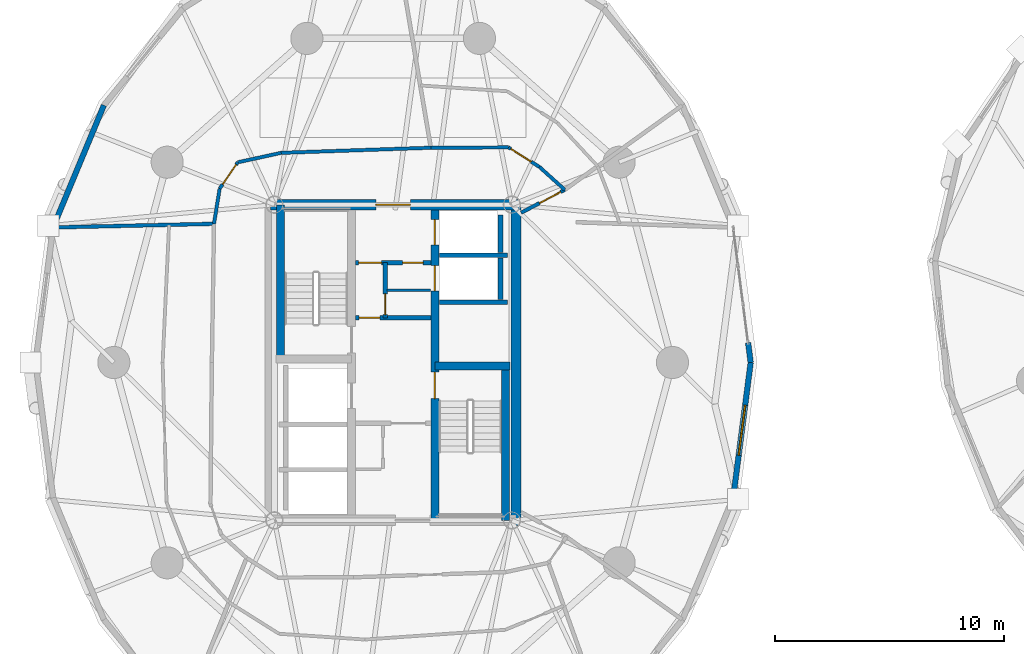
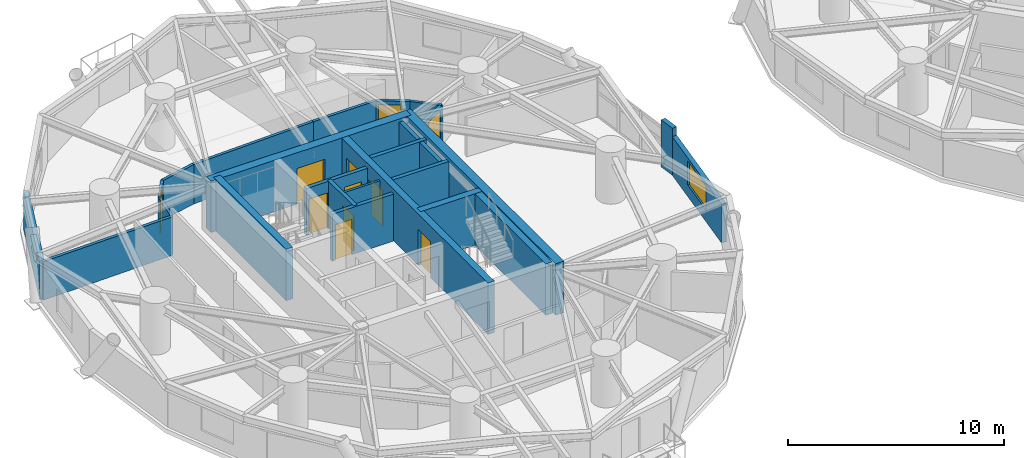
# One storey, part 11 of 18: 26 walls, 11 doors, 1 window, 12 openings.
"""IFC4 building model written with IfcOpenShell, lengths in metres."""

from ifc_helpers import new_model, si_unit, direction, frame, frame_2d, origin, place, context, subcontext, project, spatial, rectangle, extrude, source, transform, mapped, material, layer, layer_set, type_object, element, fill, save


model = new_model("IFC4")

# Units and contexts
model_context = context("Model", 3, precision=1e-05, world=origin(), true_north=direction((0.0, 1.0)))
body_context = subcontext(model_context, "Body", "Model", "MODEL_VIEW")
ifc_project = project(units=[si_unit("LENGTHUNIT", "METRE"), si_unit("AREAUNIT", "SQUARE_METRE"), si_unit("VOLUMEUNIT", "CUBIC_METRE"), si_unit("PLANEANGLEUNIT", "RADIAN"), si_unit("MASSUNIT", "GRAM", prefix="KILO")], contexts=[model_context])

# Site, building, storey
site_placement = place(None, origin())
site = spatial("IfcSite", under=ifc_project, at=site_placement, CompositionType="ELEMENT")
building_placement = place(site_placement, origin())
building = spatial("IfcBuilding", under=site, at=building_placement, Name="Cununo Teusaquillo Station Towers", CompositionType="ELEMENT")
storey_placement = place(building_placement, frame((0.0, 0.0, 110.889892578125)))
storey = spatial("IfcBuildingStorey", under=building, at=storey_placement, Name="L35", CompositionType="ELEMENT", Elevation=110.889892578125)

# Walls
ifc_material_1 = material(Name="Concrete C50/60", Category="concrete")
ifc_layer_1 = layer(ifc_material_1, 0.199951171875)
ifc_layer_set_1 = layer_set([ifc_layer_1], Name="Concrete C50/60")
wall_type_1 = type_object("IfcWallType", Name="WL-CORE-200", PredefinedType="SHEAR", material=ifc_layer_set_1)
for number, where, z_axis, x_axis, name in (
    (1, (18.510009765625, 27.1298828125, 0.0), (0.0, 0.0, 1.0), (1.0, 0.0, 0.0), "L35 Tower A Low-Rise Lift Hoistway South Shear Wall"),
    (2, (18.510009765625, 29.175048828125, 0.0), (0.0, 0.0, 1.0), (1.0, 0.0, 0.0), "L35 Tower A Low-Rise Lift Hoistway Divider Shear Wall"),
):
    element("IfcWall", number, at=place(storey_placement, frame(where, z_axis=z_axis, x_axis=x_axis)), inside=storey, type_object=wall_type_1, Name=name, PredefinedType="SHEAR", context=body_context, shape_type="SweptSolid", body=[
        extrude(rectangle(XDim=2.969970703125, YDim=0.199951171875, at=frame_2d((1.48486328125, 0.0))), origin(), (0.0, 0.0, 1.0), 2.91015625),
    ])
wall_1_placement = place(storey_placement, frame((21.179931640625, 27.25, 0.0), z_axis=(0.0, 0.0, 1.0), x_axis=(0.0, 1.0, 0.0)))
element("IfcWall", 3, at=wall_1_placement, inside=storey, type_object=wall_type_1, Name="L35 Tower A Low-Rise Lift 1 Shaft Rear Shear Wall", PredefinedType="SHEAR", context=body_context, shape_type="SweptSolid", body=[
    extrude(rectangle(XDim=1.804931640625, YDim=0.199951171875, at=frame_2d((0.90234375, 0.0))), origin(), (0.0, 0.0, 1.0), 2.91015625),
])
wall_2_placement = place(storey_placement, frame((21.179931640625, 29.294921875, 0.0), z_axis=(0.0, 0.0, 1.0), x_axis=(0.0, 1.0, 0.0)))
element("IfcWall", 4, at=wall_2_placement, inside=storey, type_object=wall_type_1, Name="L35 Tower A Low-Rise Lift 2 Shaft Rear Shear Wall", PredefinedType="SHEAR", context=body_context, shape_type="SweptSolid", body=[
    extrude(rectangle(XDim=1.635009765625, YDim=0.199951171875, at=frame_2d((0.8173828125, 0.0))), origin(), (0.0, 0.0, 1.0), 2.91015625),
])

# Wall, openings, doors
ifc_material_2 = material(Name="Concrete C50/60", Category="concrete")
ifc_layer_2 = layer(ifc_material_2, 0.35009765625)
ifc_layer_set_2 = layer_set([ifc_layer_2], Name="Concrete C50/60")
wall_type_2 = type_object("IfcWallType", Name="WL-CORE-350", PredefinedType="SHEAR", material=ifc_layer_set_2)
wall_3_placement = place(storey_placement, frame((18.31494140625, 17.625, 0.0), z_axis=(0.0, 0.0, 1.0), x_axis=(0.0, 1.0, 0.0)))
wall_3 = element("IfcWall", 5, at=wall_3_placement, inside=storey, type_object=wall_type_2, Name="L35 Tower A Core Shear Wall IE", PredefinedType="SHEAR", context=body_context, shape_type="SweptSolid", body=[
    extrude(rectangle(XDim=13.75, YDim=0.35009765625, at=frame_2d((6.875, 0.0))), origin(), (0.0, 0.0, 1.0), 2.91015625),
])
shared_shape_1 = source(origin(), body_context, "Body", "SweptSolid", [
    extrude(rectangle(XDim=1.10009765625, YDim=2.014892578125, at=frame_2d((0.550048828125, 1.00732421875))), frame((0.0, 0.18505859375, 0.0), z_axis=(0.0, -1.0, 0.0), x_axis=(1.0, 0.0, 0.0)), (0.0, 0.0, 1.0), 0.3701171875),
])
opening_1_placement = place(wall_3_placement, frame((10.0, 0.0, 0.0)))
opening_1 = element("IfcOpeningElement", 6, at=opening_1_placement, cuts=wall_3, Name="Opening LD-01", PredefinedType="OPENING", context=body_context, shape_type="MappedRepresentation", body=[
    mapped(shared_shape_1, transform((0.0, 0.0, 0.0), x_axis=(1.0, 0.0, 0.0), y_axis=(0.0, 1.0, 0.0), z_axis=(0.0, 0.0, 1.0), scale=1.0)),
])
opening_2_placement = place(wall_3_placement, frame((12.0, 0.0, 0.0)))
opening_2 = element("IfcOpeningElement", 7, at=opening_2_placement, cuts=wall_3, Name="Opening LD-01", PredefinedType="OPENING", context=body_context, shape_type="MappedRepresentation", body=[
    mapped(shared_shape_1, transform((0.0, 0.0, 0.0), x_axis=(1.0, 0.0, 0.0), y_axis=(0.0, 1.0, 0.0), z_axis=(0.0, 0.0, 1.0), scale=1.0)),
])
shared_shape_2 = source(origin(), body_context, "Body", "SweptSolid", [
    extrude(rectangle(XDim=1.14990234375, YDim=2.02001953125, at=frame_2d((0.574951171875, 1.010009765625))), frame((0.0, 0.18505859375, 0.0), z_axis=(0.0, -1.0, 0.0), x_axis=(1.0, 0.0, 0.0)), (0.0, 0.0, 1.0), 0.3701171875),
])
opening_3_placement = place(wall_3_placement, frame((5.304931640625, 0.0, 0.0)))
opening_3 = element("IfcOpeningElement", 8, at=opening_3_placement, cuts=wall_3, Name="Opening D-ST1", PredefinedType="OPENING", context=body_context, shape_type="MappedRepresentation", body=[
    mapped(shared_shape_2, transform((0.0, 0.0, 0.0), x_axis=(1.0, 0.0, 0.0), y_axis=(0.0, 1.0, 0.0), z_axis=(0.0, 0.0, 1.0), scale=1.0)),
])
ifc_material_3 = material(Name="Galvanised fire-rated hollow steel door assembly", Category="steel")
door_type_1 = type_object("IfcDoorType", Name="DR-LIFT-1100", OperationType="SLIDING_TO_LEFT", PredefinedType="DOOR", material=ifc_material_3)
shared_shape_3 = source(origin(), body_context, "Body", "SweptSolid", [
    extrude(rectangle(XDim=1.10009765625, YDim=2.014892578125, at=frame_2d((0.550048828125, 1.00732421875))), frame((0.0, 0.02490234375, 0.0), z_axis=(0.0, -1.0, 0.0), x_axis=(1.0, 0.0, 0.0)), (0.0, 0.0, 1.0), 0.050048828125),
])
door_1_placement = place(opening_1_placement, origin())
door_1 = element("IfcDoor", 9, at=door_1_placement, inside=storey, type_object=door_type_1, Name="L35 Lift PL-T1-L1 Sliding Landing Door", OperationType="SLIDING_TO_RIGHT", OverallHeight=2.014892578125, OverallWidth=1.10009765625, PredefinedType="DOOR", context=body_context, shape_type="MappedRepresentation", body=[
    mapped(shared_shape_3, transform((0.0, 0.0, 0.0), x_axis=(1.0, 0.0, 0.0), y_axis=(0.0, 1.0, 0.0), z_axis=(0.0, 0.0, 1.0), scale=1.0)),
])
fill(opening_1, door_1)
door_2_placement = place(opening_2_placement, origin())
door_2 = element("IfcDoor", 10, at=door_2_placement, inside=storey, type_object=door_type_1, Name="L35 Lift PL-T1-L2 Sliding Landing Door", OperationType="SLIDING_TO_LEFT", OverallHeight=2.014892578125, OverallWidth=1.10009765625, PredefinedType="DOOR", context=body_context, shape_type="MappedRepresentation", body=[
    mapped(shared_shape_3, transform((0.0, 0.0, 0.0), x_axis=(1.0, 0.0, 0.0), y_axis=(0.0, 1.0, 0.0), z_axis=(0.0, 0.0, 1.0), scale=1.0)),
])
fill(opening_2, door_2)
ifc_material_4 = material(Name="Galvanised fire-rated hollow steel door assembly", Category="steel")
door_type_2 = type_object("IfcDoorType", Name="DR-STAIR-1150", OperationType="NOTDEFINED", PredefinedType="DOOR", material=ifc_material_4)
shared_shape_4 = source(origin(), body_context, "Body", "SweptSolid", [
    extrude(rectangle(XDim=1.14990234375, YDim=2.02001953125, at=frame_2d((0.574951171875, 1.010009765625))), frame((0.0, 0.02490234375, 0.0), z_axis=(0.0, -1.0, 0.0), x_axis=(1.0, 0.0, 0.0)), (0.0, 0.0, 1.0), 0.050048828125),
])
door_3_placement = place(opening_3_placement, origin())
door_3 = element("IfcDoor", 11, at=door_3_placement, inside=storey, type_object=door_type_2, Name="L35 Tower A Exit Stair 2 Fire Door", OperationType="SINGLE_SWING_LEFT", OverallHeight=2.02001953125, OverallWidth=1.14990234375, PredefinedType="DOOR", context=body_context, shape_type="MappedRepresentation", body=[
    mapped(shared_shape_4, transform((0.0, 0.0, 0.0), x_axis=(1.0, 0.0, 0.0), y_axis=(0.0, 1.0, 0.0), z_axis=(0.0, 0.0, 1.0), scale=1.0)),
])
fill(opening_3, door_3)

# Walls
for number, where, z_axis, x_axis, name in (
    (12, (11.594970703125, 24.655029296875, 0.0), (0.0, 0.0, 1.0), (0.0, 1.0, 0.0), "L35 Tower A Core Shear Wall ST1W"),
    (13, (21.405029296875, 17.625, 0.0), (0.0, 0.0, 1.0), (0.0, 1.0, 0.0), "L35 Tower A Core Shear Wall ST2E"),
):
    element("IfcWall", number, at=place(storey_placement, frame(where, z_axis=z_axis, x_axis=x_axis)), inside=storey, type_object=wall_type_2, Name=name, PredefinedType="SHEAR", context=body_context, shape_type="SweptSolid", body=[
        extrude(rectangle(XDim=6.719970703125, YDim=0.35009765625, at=frame_2d((3.35986328125, 0.0))), origin(), (0.0, 0.0, 1.0), 2.91015625),
    ])
wall_4_placement = place(storey_placement, frame((18.31494140625, 24.344970703125, 0.0), z_axis=(0.0, 0.0, 1.0), x_axis=(1.0, 0.0, 0.0)))
element("IfcWall", 14, at=wall_4_placement, inside=storey, type_object=wall_type_2, Name="L35 Tower A Core Shear Wall ST2N", PredefinedType="SHEAR", context=body_context, shape_type="SweptSolid", body=[
    extrude(rectangle(XDim=3.28515625, YDim=0.35009765625, at=frame_2d((1.642578125, 0.0))), origin(), (0.0, 0.0, 1.0), 2.91015625),
])
ifc_material_5 = material(Name="Concrete C60/75", Category="concrete")
ifc_layer_3 = layer(ifc_material_5, 0.449951171875)
ifc_layer_set_3 = layer_set([ifc_layer_3], Name="Concrete C60/75")
wall_type_3 = type_object("IfcWallType", Name="WL-CORE-450", PredefinedType="SHEAR", material=ifc_layer_set_3)
wall_5_placement = place(storey_placement, frame((21.85009765625, 17.39990234375, 0.0), z_axis=(0.0, 0.0, 1.0), x_axis=(0.0, 1.0, 0.0)))
element("IfcWall", 15, at=wall_5_placement, inside=storey, type_object=wall_type_3, Name="L35 Tower A Core Shear Wall E", PredefinedType="SHEAR", context=body_context, shape_type="SweptSolid", body=[
    extrude(rectangle(XDim=14.2001953125, YDim=0.449951171875, at=frame_2d((7.10009765625, 0.0))), origin(), (0.0, 0.0, 1.0), 2.91015625),
])

# Wall, opening, door
wall_6_placement = place(storey_placement, frame((11.14990234375, 31.375, 0.0), z_axis=(0.0, 0.0, 1.0), x_axis=(1.0, 0.0, 0.0)))
wall_6 = element("IfcWall", 16, at=wall_6_placement, inside=storey, type_object=wall_type_3, Name="L35 Tower A Core Shear Wall N", PredefinedType="SHEAR", context=body_context, shape_type="SweptSolid", body=[
    extrude(rectangle(XDim=10.7001953125, YDim=0.449951171875, at=frame_2d((5.35009765625, 0.0))), origin(), (0.0, 0.0, 1.0), 2.91015625),
])
shared_shape_5 = source(origin(), body_context, "Body", "SweptSolid", [
    extrude(rectangle(XDim=1.5, YDim=2.02001953125, at=frame_2d((0.75, 1.010009765625))), frame((0.0, 0.23486328125, 0.0), z_axis=(0.0, -1.0, 0.0), x_axis=(1.0, 0.0, 0.0)), (0.0, 0.0, 1.0), 0.469970703125),
])
opening_4_placement = place(wall_6_placement, frame((4.60009765625, 0.0, 0.0)))
opening_4 = element("IfcOpeningElement", 17, at=opening_4_placement, cuts=wall_6, Name="Opening D-LB1", PredefinedType="OPENING", context=body_context, shape_type="MappedRepresentation", body=[
    mapped(shared_shape_5, transform((0.0, 0.0, 0.0), x_axis=(1.0, 0.0, 0.0), y_axis=(0.0, 1.0, 0.0), z_axis=(0.0, 0.0, 1.0), scale=1.0)),
])
ifc_material_6 = material(Name="Galvanised fire-rated hollow steel door assembly", Category="steel")
door_type_3 = type_object("IfcDoorType", Name="DR-LOBBY-1500", OperationType="DOUBLE_DOOR_SINGLE_SWING", PredefinedType="DOOR", material=ifc_material_6)
shared_shape_6 = source(origin(), body_context, "Body", "SweptSolid", [
    extrude(rectangle(XDim=1.5, YDim=2.02001953125, at=frame_2d((0.75, 1.010009765625))), frame((0.0, 0.02490234375, 0.0), z_axis=(0.0, -1.0, 0.0), x_axis=(1.0, 0.0, 0.0)), (0.0, 0.0, 1.0), 0.050048828125),
])
door_4_placement = place(opening_4_placement, origin())
door_4 = element("IfcDoor", 18, at=door_4_placement, inside=storey, type_object=door_type_3, Name="L35 Tower A North Core Lift Lobby Door", OperationType="DOUBLE_DOOR_SINGLE_SWING", OverallHeight=2.02001953125, OverallWidth=1.5, PredefinedType="DOOR", context=body_context, shape_type="MappedRepresentation", body=[
    mapped(shared_shape_6, transform((0.0, 0.0, 0.0), x_axis=(1.0, 0.0, 0.0), y_axis=(0.0, 1.0, 0.0), z_axis=(0.0, 0.0, 1.0), scale=1.0)),
])
fill(opening_4, door_4)

# Walls
ifc_material_7 = material(Name="Precast concrete C40/50", Category="concrete")
ifc_layer_4 = layer(ifc_material_7, 0.239990234375)
ifc_layer_set_4 = layer_set([ifc_layer_4], Name="Precast concrete C40/50")
wall_type_4 = type_object("IfcWallType", Name="WL-EXT-240", PredefinedType="SOLIDWALL", material=ifc_layer_set_4)
wall_7_placement = place(storey_placement, frame((31.96923828125, 25.36279296875, 0.0), z_axis=(0.0, 0.0, 1.0), x_axis=(0.128523364007, -0.991706481225, 0.0)))
element("IfcWall", 19, at=wall_7_placement, inside=storey, type_object=wall_type_4, Name="L35 Tower A Column Pier Cladding Wall C00-PB", PredefinedType="SOLIDWALL", context=body_context, shape_type="SweptSolid", body=[
    extrude(rectangle(XDim=0.8701171875, YDim=0.239990234375, at=frame_2d((0.43505859375, 0.0))), origin(), (0.0, 0.0, 1.0), 2.655029296875),
])
wall_8_placement = place(storey_placement, frame((1.681640625, 30.39306640625, 0.0), z_axis=(0.0, 0.0, 1.0), x_axis=(0.384344417632, 0.923189779317, 0.0)))
element("IfcWall", 20, at=wall_8_placement, inside=storey, type_object=wall_type_4, Name="L35 Tower A Exterior Facade Wall C08", PredefinedType="SOLIDWALL", context=body_context, shape_type="SweptSolid", body=[
    extrude(rectangle(XDim=5.75830078125, YDim=0.239990234375, at=frame_2d((2.879150390625, 0.0))), origin(), (0.0, 0.0, 1.0), 2.17919921875),
])

# Wall, opening, window
wall_9_placement = place(storey_placement, frame((32.0810546875, 24.5, 0.0), z_axis=(0.0, 0.0, 1.0), x_axis=(-0.128351991996, -0.991728675672, 0.0)))
wall_9 = element("IfcWall", 21, at=wall_9_placement, inside=storey, type_object=wall_type_4, Name="L35 Tower A Exterior Facade Wall C19", PredefinedType="SOLIDWALL", context=body_context, shape_type="SweptSolid", body=[
    extrude(rectangle(XDim=5.942138671875, YDim=0.239990234375, at=frame_2d((2.97119140625, 0.0))), origin(), (0.0, 0.0, 1.0), 2.17919921875),
])
shared_shape_7 = source(origin(), body_context, "Body", "SweptSolid", [
    extrude(rectangle(XDim=2.199951171875, YDim=1.35009765625, at=frame_2d((1.10009765625, 0.675048828125))), frame((0.0, 0.1298828125, 0.0), z_axis=(0.0, -1.0, 0.0), x_axis=(1.0, 0.0, 0.0)), (0.0, 0.0, 1.0), 0.260009765625),
])
opening_5_placement = place(wall_9_placement, frame((1.87109375, 0.0, 0.64990234375)))
opening_5 = element("IfcOpeningElement", 22, at=opening_5_placement, cuts=wall_9, Name="Opening WN-01", PredefinedType="OPENING", context=body_context, shape_type="MappedRepresentation", body=[
    mapped(shared_shape_7, transform((0.0, 0.0, 0.0), x_axis=(1.0, 0.0, 0.0), y_axis=(0.0, 1.0, 0.0), z_axis=(0.0, 0.0, 1.0), scale=1.0)),
])
ifc_material_8 = material(Name="Ceramic-fritted dark low-E double glazing", Category="glass")
window_type = type_object("IfcWindowType", Name="WIN-FRIT-2200", PartitioningType="DOUBLE_PANEL_VERTICAL", PredefinedType="WINDOW", material=ifc_material_8)
shared_shape_8 = source(origin(), body_context, "Body", "SweptSolid", [
    extrude(rectangle(XDim=2.199951171875, YDim=1.35009765625, at=frame_2d((1.10009765625, 0.675048828125))), frame((0.0, 0.030029296875, 0.0), z_axis=(0.0, -1.0, 0.0), x_axis=(1.0, 0.0, 0.0)), (0.0, 0.0, 1.0), 0.06005859375),
])
window_placement = place(opening_5_placement, origin())
window = element("IfcWindow", 23, at=window_placement, inside=storey, type_object=window_type, Name="L35 Tower A Facade Window C19", OverallHeight=1.35009765625, OverallWidth=2.199951171875, PartitioningType="DOUBLE_PANEL_VERTICAL", PredefinedType="WINDOW", context=body_context, shape_type="MappedRepresentation", body=[
    mapped(shared_shape_8, transform((0.0, 0.0, 0.0), x_axis=(1.0, 0.0, 0.0), y_axis=(0.0, 1.0, 0.0), z_axis=(0.0, 0.0, 1.0), scale=1.0)),
])
fill(opening_5, window)

# Walls
ifc_material_9 = material(Name="Fire-rated gypsum plasterboard partition assembly", Category="gypsum")
ifc_layer_5 = layer(ifc_material_9, 0.125)
ifc_layer_set_5 = layer_set([ifc_layer_5], Name="Fire-rated gypsum plasterboard partition assembly")
wall_type_5 = type_object("IfcWallType", Name="WL-PART-125", PredefinedType="PARTITIONING", material=ifc_layer_set_5)
wall_10_placement = place(storey_placement, frame((16.239990234375, 27.64990234375, 0.0), z_axis=(0.0, 0.0, 1.0), x_axis=(1.0, 0.0, 0.0)))
element("IfcWall", 24, at=wall_10_placement, inside=storey, type_object=wall_type_5, Name="L35 Tower A Core Horizontal Split Wall", PredefinedType="PARTITIONING", context=body_context, shape_type="SweptSolid", body=[
    extrude(rectangle(XDim=1.880126953125, YDim=0.125, at=frame_2d((0.93994140625, 0.0))), origin(), (0.0, 0.0, 1.0), 2.655029296875),
])
ifc_material_10 = material(Name="Fire-rated gypsum plasterboard partition assembly", Category="gypsum")
ifc_layer_6 = layer(ifc_material_10, 0.14990234375)
ifc_layer_set_6 = layer_set([ifc_layer_6], Name="Fire-rated gypsum plasterboard partition assembly")
wall_type_6 = type_object("IfcWallType", Name="WL-PART-150", PredefinedType="PARTITIONING", material=ifc_layer_set_6)
wall_11_placement = place(storey_placement, frame((23.979736328125, 32.02685546875, 0.0), z_axis=(0.0, 0.0, 1.0), x_axis=(-0.742353224332, 0.670008724065, 0.0)))
element("IfcWall", 25, at=wall_11_placement, inside=storey, type_object=wall_type_6, Name="L35 Tower A Corridor Ring Wall C02", PredefinedType="PARTITIONING", context=body_context, shape_type="SweptSolid", body=[
    extrude(rectangle(XDim=1.48486328125, YDim=0.14990234375, at=frame_2d((0.742431640625, 0.0))), origin(), (0.0, 0.0, 1.0), 2.22509765625),
])

# Wall, opening, door
wall_12_placement = place(storey_placement, frame((22.87744140625, 33.021728515625, 0.0), z_axis=(0.0, 0.0, 1.0), x_axis=(-0.845895608855, 0.533348496689, 0.0)))
wall_12 = element("IfcWall", 26, at=wall_12_placement, inside=storey, type_object=wall_type_6, Name="L35 Tower A Corridor Ring Wall C03", PredefinedType="PARTITIONING", context=body_context, shape_type="SweptSolid", body=[
    extrude(rectangle(XDim=1.5966796875, YDim=0.14990234375, at=frame_2d((0.79833984375, 0.0))), origin(), (0.0, 0.0, 1.0), 2.22509765625),
])
shared_shape_9 = source(origin(), body_context, "Body", "SweptSolid", [
    extrude(rectangle(XDim=1.050048828125, YDim=2.014892578125, at=frame_2d((0.52490234375, 1.00732421875))), frame((0.0, 0.0849609375, 0.0), z_axis=(0.0, -1.0, 0.0), x_axis=(1.0, 0.0, 0.0)), (0.0, 0.0, 1.0), 0.169921875),
])
opening_6_placement = place(wall_12_placement, frame((0.4267578125, 0.0, 0.0)))
opening_6 = element("IfcOpeningElement", 27, at=opening_6_placement, cuts=wall_12, Name="Opening D-SU1", PredefinedType="OPENING", context=body_context, shape_type="MappedRepresentation", body=[
    mapped(shared_shape_9, transform((0.0, 0.0, 0.0), x_axis=(1.0, 0.0, 0.0), y_axis=(0.0, 1.0, 0.0), z_axis=(0.0, 0.0, 1.0), scale=1.0)),
])
ifc_material_11 = material(Name="Acoustic solid-core hardwood leaf assembly", Category="wood")
door_type_4 = type_object("IfcDoorType", Name="DR-SUITE-1050", OperationType="NOTDEFINED", PredefinedType="DOOR", material=ifc_material_11)
shared_shape_10 = source(origin(), body_context, "Body", "SweptSolid", [
    extrude(rectangle(XDim=1.050048828125, YDim=2.014892578125, at=frame_2d((0.52490234375, 1.00732421875))), frame((0.0, 0.02490234375, 0.0), z_axis=(0.0, -1.0, 0.0), x_axis=(1.0, 0.0, 0.0)), (0.0, 0.0, 1.0), 0.050048828125),
])
door_5_placement = place(opening_6_placement, origin())
door_5 = element("IfcDoor", 28, at=door_5_placement, inside=storey, type_object=door_type_4, Name="L35 Tower A Consular Reception Salon Entrance Door", OperationType="SINGLE_SWING_LEFT", OverallHeight=2.014892578125, OverallWidth=1.050048828125, PredefinedType="DOOR", context=body_context, shape_type="MappedRepresentation", body=[
    mapped(shared_shape_10, transform((0.0, 0.0, 0.0), x_axis=(1.0, 0.0, 0.0), y_axis=(0.0, 1.0, 0.0), z_axis=(0.0, 0.0, 1.0), scale=1.0)),
])
fill(opening_6, door_5)

# Walls
wall_13_placement = place(storey_placement, frame((21.52685546875, 33.873291015625, 0.0), z_axis=(0.0, 0.0, 1.0), x_axis=(-0.999991838845, -0.004040079574, 0.0)))
element("IfcWall", 29, at=wall_13_placement, inside=storey, type_object=wall_type_6, Name="L35 Tower A Corridor Ring Wall C04", PredefinedType="PARTITIONING", context=body_context, shape_type="SweptSolid", body=[
    extrude(rectangle(XDim=3.384033203125, YDim=0.14990234375, at=frame_2d((1.69189453125, 0.0))), origin(), (0.0, 0.0, 1.0), 2.22509765625),
])
wall_14_placement = place(storey_placement, frame((18.142822265625, 33.859619140625, 0.0), z_axis=(0.0, 0.0, 1.0), x_axis=(-0.999419208319, -0.034077060363, 0.0)))
element("IfcWall", 30, at=wall_14_placement, inside=storey, type_object=wall_type_6, Name="L35 Tower A Corridor Ring Wall C05", PredefinedType="PARTITIONING", context=body_context, shape_type="SweptSolid", body=[
    extrude(rectangle(XDim=6.52685546875, YDim=0.14990234375, at=frame_2d((3.263427734375, 0.0))), origin(), (0.0, 0.0, 1.0), 2.22509765625),
])
wall_15_placement = place(storey_placement, frame((11.619873046875, 33.63720703125, 0.0), z_axis=(0.0, 0.0, 1.0), x_axis=(-0.97702579435, -0.213121085711, 0.0)))
element("IfcWall", 31, at=wall_15_placement, inside=storey, type_object=wall_type_6, Name="L35 Tower A Corridor Ring Wall C06", PredefinedType="PARTITIONING", context=body_context, shape_type="SweptSolid", body=[
    extrude(rectangle(XDim=1.934814453125, YDim=0.14990234375, at=frame_2d((0.96728515625, 0.0))), origin(), (0.0, 0.0, 1.0), 2.22509765625),
])

# Wall, opening, door
wall_16_placement = place(storey_placement, frame((9.7294921875, 33.224853515625, 0.0), z_axis=(0.0, 0.0, 1.0), x_axis=(-0.567183649484, -0.82359134755, 0.0)))
wall_16 = element("IfcWall", 32, at=wall_16_placement, inside=storey, type_object=wall_type_6, Name="L35 Tower A Corridor Ring Wall C07", PredefinedType="PARTITIONING", context=body_context, shape_type="SweptSolid", body=[
    extrude(rectangle(XDim=1.39208984375, YDim=0.14990234375, at=frame_2d((0.696044921875, 0.0))), origin(), (0.0, 0.0, 1.0), 2.22509765625),
])
opening_7_placement = place(wall_16_placement, frame((0.1201171875, 0.0, 0.0)))
opening_7 = element("IfcOpeningElement", 33, at=opening_7_placement, cuts=wall_16, Name="Opening D-SU1", PredefinedType="OPENING", context=body_context, shape_type="MappedRepresentation", body=[
    mapped(shared_shape_9, transform((0.0, 0.0, 0.0), x_axis=(1.0, 0.0, 0.0), y_axis=(0.0, 1.0, 0.0), z_axis=(0.0, 0.0, 1.0), scale=1.0)),
])
door_6_placement = place(opening_7_placement, origin())
door_6 = element("IfcDoor", 34, at=door_6_placement, inside=storey, type_object=door_type_4, Name="L35 Tower A Bilateral Treaty Conference Room Entrance Door", OperationType="SINGLE_SWING_LEFT", OverallHeight=2.014892578125, OverallWidth=1.050048828125, PredefinedType="DOOR", context=body_context, shape_type="MappedRepresentation", body=[
    mapped(shared_shape_10, transform((0.0, 0.0, 0.0), x_axis=(1.0, 0.0, 0.0), y_axis=(0.0, 1.0, 0.0), z_axis=(0.0, 0.0, 1.0), scale=1.0)),
])
fill(opening_7, door_6)

# Walls
wall_17_placement = place(storey_placement, frame((8.93994140625, 32.078369140625, 0.0), z_axis=(0.0, 0.0, 1.0), x_axis=(-0.159148467753, -0.98725466077, 0.0)))
element("IfcWall", 35, at=wall_17_placement, inside=storey, type_object=wall_type_6, Name="L35 Tower A Corridor Ring Wall C08", PredefinedType="PARTITIONING", context=body_context, shape_type="SweptSolid", body=[
    extrude(rectangle(XDim=1.553955078125, YDim=0.14990234375, at=frame_2d((0.77685546875, 0.0))), origin(), (0.0, 0.0, 1.0), 2.22509765625),
])
ifc_material_12 = material(Name="Fire-rated gypsum plasterboard partition assembly", Category="gypsum")
ifc_layer_7 = layer(ifc_material_12, 0.159912109375)
ifc_layer_set_7 = layer_set([ifc_layer_7], Name="Fire-rated gypsum plasterboard partition assembly")
wall_type_7 = type_object("IfcWallType", Name="WL-PART-160", PredefinedType="PARTITIONING", material=ifc_layer_set_7)
wall_18_placement = place(storey_placement, frame((8.692626953125, 30.544189453125, 0.0), z_axis=(0.0, 0.0, 1.0), x_axis=(-0.999746482141, -0.022516026432, 0.0)))
element("IfcWall", 36, at=wall_18_placement, inside=storey, type_object=wall_type_7, Name="L35 Tower A Radial Suite Partition R04", PredefinedType="PARTITIONING", context=body_context, shape_type="SweptSolid", body=[
    extrude(rectangle(XDim=6.99365234375, YDim=0.159912109375, at=frame_2d((3.496826171875, 0.0))), origin(), (0.0, 0.0, 1.0), 2.17919921875),
])

# Wall, opening, door
wall_19_placement = place(storey_placement, frame((22.074951171875, 31.02490234375, 0.0), z_axis=(0.0, 0.0, 1.0), x_axis=(0.885026466958, 0.465540710125, 0.0)))
wall_19 = element("IfcWall", 37, at=wall_19_placement, inside=storey, type_object=wall_type_7, Name="L35 Tower A East Salon Corridor Portal Wall NE", PredefinedType="PARTITIONING", context=body_context, shape_type="SweptSolid", body=[
    extrude(rectangle(XDim=2.15234375, YDim=0.159912109375, at=frame_2d((1.076171875, 0.0))), origin(), (0.0, 0.0, 1.0), 2.22509765625),
])
shared_shape_11 = source(origin(), body_context, "Body", "SweptSolid", [
    extrude(rectangle(XDim=1.050048828125, YDim=2.014892578125, at=frame_2d((0.52490234375, 1.00732421875))), frame((0.0, 0.08984375, 0.0), z_axis=(0.0, -1.0, 0.0), x_axis=(1.0, 0.0, 0.0)), (0.0, 0.0, 1.0), 0.179931640625),
])
opening_8_placement = place(wall_19_placement, frame((0.902099609375, 0.0, 0.0)))
opening_8 = element("IfcOpeningElement", 38, at=opening_8_placement, cuts=wall_19, Name="Opening D-SU1", PredefinedType="OPENING", context=body_context, shape_type="MappedRepresentation", body=[
    mapped(shared_shape_11, transform((0.0, 0.0, 0.0), x_axis=(1.0, 0.0, 0.0), y_axis=(0.0, 1.0, 0.0), z_axis=(0.0, 0.0, 1.0), scale=1.0)),
])
door_7_placement = place(opening_8_placement, origin())
door_7 = element("IfcDoor", 39, at=door_7_placement, inside=storey, type_object=door_type_4, Name="L35 Tower A East Panorama Sky Salon Door NE", OperationType="SINGLE_SWING_LEFT", OverallHeight=2.014892578125, OverallWidth=1.050048828125, PredefinedType="DOOR", context=body_context, shape_type="MappedRepresentation", body=[
    mapped(shared_shape_10, transform((0.0, 0.0, 0.0), x_axis=(1.0, 0.0, 0.0), y_axis=(0.0, 1.0, 0.0), z_axis=(0.0, 0.0, 1.0), scale=1.0)),
])
fill(opening_8, door_7)

ifc_material_13 = material(Name="Fire-rated gypsum plasterboard partition assembly", Category="gypsum")
ifc_layer_8 = layer(ifc_material_13, 0.199951171875)
ifc_layer_set_8 = layer_set([ifc_layer_8], Name="Fire-rated gypsum plasterboard partition assembly")
wall_type_8 = type_object("IfcWallType", Name="WL-PART-200", PredefinedType="PARTITIONING", material=ifc_layer_set_8)
wall_20_placement = place(storey_placement, frame((14.860107421875, 26.449951171875, 0.0), z_axis=(0.0, 0.0, 1.0), x_axis=(1.0, 0.0, 0.0)))
wall_20 = element("IfcWall", 40, at=wall_20_placement, inside=storey, type_object=wall_type_8, Name="L35 Tower A Firefighting Lift Lobby North Fire Wall", PredefinedType="PARTITIONING", context=body_context, shape_type="SweptSolid", body=[
    extrude(rectangle(XDim=3.27978515625, YDim=0.199951171875, at=frame_2d((1.639892578125, 0.0))), origin(), (0.0, 0.0, 1.0), 2.655029296875),
])
shared_shape_12 = source(origin(), body_context, "Body", "SweptSolid", [
    extrude(rectangle(XDim=0.89990234375, YDim=2.0048828125, at=frame_2d((0.449951171875, 1.00244140625))), frame((0.0, 0.10986328125, 0.0), z_axis=(0.0, -1.0, 0.0), x_axis=(1.0, 0.0, 0.0)), (0.0, 0.0, 1.0), 0.219970703125),
])
opening_9_placement = place(wall_20_placement, frame((0.159912109375, 0.0, 0.0)))
opening_9 = element("IfcOpeningElement", 41, at=opening_9_placement, cuts=wall_20, Name="Opening D-SR1", PredefinedType="OPENING", context=body_context, shape_type="MappedRepresentation", body=[
    mapped(shared_shape_12, transform((0.0, 0.0, 0.0), x_axis=(1.0, 0.0, 0.0), y_axis=(0.0, 1.0, 0.0), z_axis=(0.0, 0.0, 1.0), scale=1.0)),
])
ifc_material_14 = material(Name="Galvanised fire-rated hollow steel door assembly", Category="steel")
door_type_5 = type_object("IfcDoorType", Name="DR-STORE-900", OperationType="NOTDEFINED", PredefinedType="DOOR", material=ifc_material_14)
shared_shape_13 = source(origin(), body_context, "Body", "SweptSolid", [
    extrude(rectangle(XDim=0.89990234375, YDim=2.0048828125, at=frame_2d((0.449951171875, 1.00244140625))), frame((0.0, 0.02490234375, 0.0), z_axis=(0.0, -1.0, 0.0), x_axis=(1.0, 0.0, 0.0)), (0.0, 0.0, 1.0), 0.050048828125),
])
door_8_placement = place(opening_9_placement, origin())
door_8 = element("IfcDoor", 42, at=door_8_placement, inside=storey, type_object=door_type_5, Name="L35 Tower A Stair 1 Protected Vestibule South Door", OperationType="SINGLE_SWING_RIGHT", OverallHeight=2.0048828125, OverallWidth=0.89990234375, PredefinedType="DOOR", context=body_context, shape_type="MappedRepresentation", body=[
    mapped(shared_shape_13, transform((0.0, 0.0, 0.0), x_axis=(1.0, 0.0, 0.0), y_axis=(0.0, 1.0, 0.0), z_axis=(0.0, 0.0, 1.0), scale=1.0)),
])
fill(opening_9, door_8)

wall_21_placement = place(storey_placement, frame((16.14990234375, 26.449951171875, 0.0), z_axis=(0.0, 0.0, 1.0), x_axis=(0.0, 1.0, 0.0)))
wall_21 = element("IfcWall", 43, at=wall_21_placement, inside=storey, type_object=wall_type_8, Name="L35 Tower A Stair 1 Vestibule Partition Wall", PredefinedType="PARTITIONING", context=body_context, shape_type="SweptSolid", body=[
    extrude(rectangle(XDim=2.400146484375, YDim=0.199951171875, at=frame_2d((1.2001953125, 0.0))), origin(), (0.0, 0.0, 1.0), 2.655029296875),
])
opening_10_placement = place(wall_21_placement, frame((0.139892578125, 0.0, 0.0)))
opening_10 = element("IfcOpeningElement", 44, at=opening_10_placement, cuts=wall_21, Name="Opening D-SR1", PredefinedType="OPENING", context=body_context, shape_type="MappedRepresentation", body=[
    mapped(shared_shape_12, transform((0.0, 0.0, 0.0), x_axis=(1.0, 0.0, 0.0), y_axis=(0.0, 1.0, 0.0), z_axis=(0.0, 0.0, 1.0), scale=1.0)),
])
door_9_placement = place(opening_10_placement, origin())
door_9 = element("IfcDoor", 45, at=door_9_placement, inside=storey, type_object=door_type_5, Name="L35 Tower A Core Linen Store Door", OperationType="SINGLE_SWING_LEFT", OverallHeight=2.0048828125, OverallWidth=0.89990234375, PredefinedType="DOOR", context=body_context, shape_type="MappedRepresentation", body=[
    mapped(shared_shape_13, transform((0.0, 0.0, 0.0), x_axis=(1.0, 0.0, 0.0), y_axis=(0.0, 1.0, 0.0), z_axis=(0.0, 0.0, 1.0), scale=1.0)),
])
fill(opening_10, door_9)

# Wall, openings, doors
wall_22_placement = place(storey_placement, frame((14.860107421875, 28.85009765625, 0.0), z_axis=(0.0, 0.0, 1.0), x_axis=(1.0, 0.0, 0.0)))
wall_22 = element("IfcWall", 46, at=wall_22_placement, inside=storey, type_object=wall_type_8, Name="L35 Tower A North Lift Lobby South Fire Wall", PredefinedType="PARTITIONING", context=body_context, shape_type="SweptSolid", body=[
    extrude(rectangle(XDim=3.27978515625, YDim=0.199951171875, at=frame_2d((1.639892578125, 0.0))), origin(), (0.0, 0.0, 1.0), 2.655029296875),
])
shared_shape_14 = source(origin(), body_context, "Body", "SweptSolid", [
    extrude(rectangle(XDim=1.0, YDim=2.014892578125, at=frame_2d((0.5, 1.00732421875))), frame((0.0, 0.10986328125, 0.0), z_axis=(0.0, -1.0, 0.0), x_axis=(1.0, 0.0, 0.0)), (0.0, 0.0, 1.0), 0.219970703125),
])
opening_11_placement = place(wall_22_placement, frame((0.139892578125, 0.0, 0.0)))
opening_11 = element("IfcOpeningElement", 47, at=opening_11_placement, cuts=wall_22, Name="Opening D-AC1", PredefinedType="OPENING", context=body_context, shape_type="MappedRepresentation", body=[
    mapped(shared_shape_14, transform((0.0, 0.0, 0.0), x_axis=(1.0, 0.0, 0.0), y_axis=(0.0, 1.0, 0.0), z_axis=(0.0, 0.0, 1.0), scale=1.0)),
])
opening_12_placement = place(wall_22_placement, frame((2.050048828125, 0.0, 0.0)))
opening_12 = element("IfcOpeningElement", 48, at=opening_12_placement, cuts=wall_22, Name="Opening D-SR1", PredefinedType="OPENING", context=body_context, shape_type="MappedRepresentation", body=[
    mapped(shared_shape_12, transform((0.0, 0.0, 0.0), x_axis=(1.0, 0.0, 0.0), y_axis=(0.0, 1.0, 0.0), z_axis=(0.0, 0.0, 1.0), scale=1.0)),
])
door_10_placement = place(opening_12_placement, origin())
door_10 = element("IfcDoor", 49, at=door_10_placement, inside=storey, type_object=door_type_5, Name="L35 Tower A Core Comms Room Door", OperationType="SINGLE_SWING_RIGHT", OverallHeight=2.0048828125, OverallWidth=0.89990234375, PredefinedType="DOOR", context=body_context, shape_type="MappedRepresentation", body=[
    mapped(shared_shape_13, transform((0.0, 0.0, 0.0), x_axis=(1.0, 0.0, 0.0), y_axis=(0.0, 1.0, 0.0), z_axis=(0.0, 0.0, 1.0), scale=1.0)),
])
fill(opening_12, door_10)
ifc_material_15 = material(Name="Acoustic solid-core hardwood leaf assembly", Category="wood")
door_type_6 = type_object("IfcDoorType", Name="DR-ACC-1000", OperationType="NOTDEFINED", PredefinedType="DOOR", material=ifc_material_15)
shared_shape_15 = source(origin(), body_context, "Body", "SweptSolid", [
    extrude(rectangle(XDim=1.0, YDim=2.014892578125, at=frame_2d((0.5, 1.00732421875))), frame((0.0, 0.02490234375, 0.0), z_axis=(0.0, -1.0, 0.0), x_axis=(1.0, 0.0, 0.0)), (0.0, 0.0, 1.0), 0.050048828125),
])
door_11_placement = place(opening_11_placement, origin())
door_11 = element("IfcDoor", 50, at=door_11_placement, inside=storey, type_object=door_type_6, Name="L35 Tower A North Lift Lobby to Stair 1 Vestibule Door", OperationType="SINGLE_SWING_LEFT", OverallHeight=2.014892578125, OverallWidth=1.0, PredefinedType="DOOR", context=body_context, shape_type="MappedRepresentation", body=[
    mapped(shared_shape_15, transform((0.0, 0.0, 0.0), x_axis=(1.0, 0.0, 0.0), y_axis=(0.0, 1.0, 0.0), z_axis=(0.0, 0.0, 1.0), scale=1.0)),
])
fill(opening_11, door_11)

save(model, "model.ifc")
